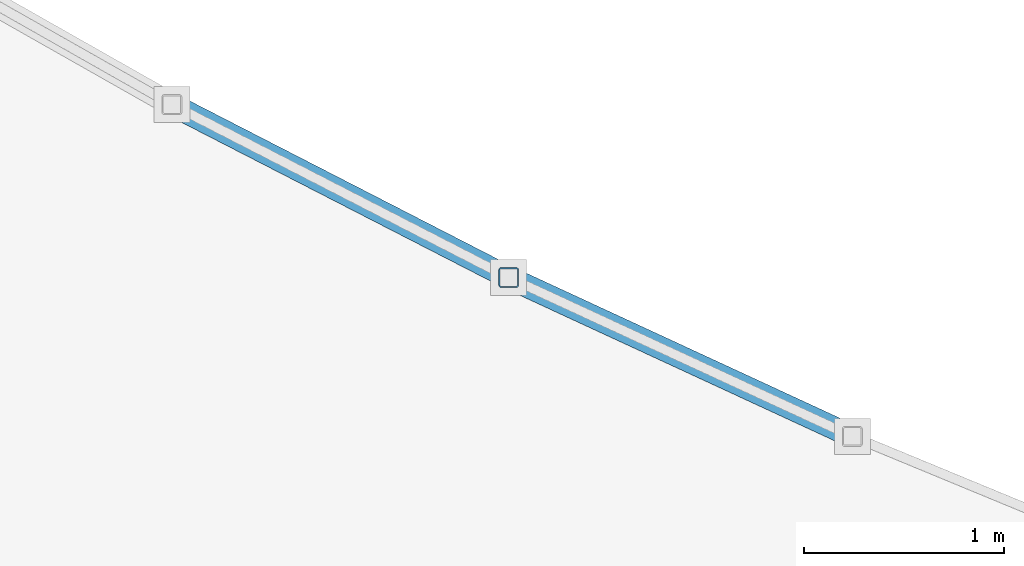
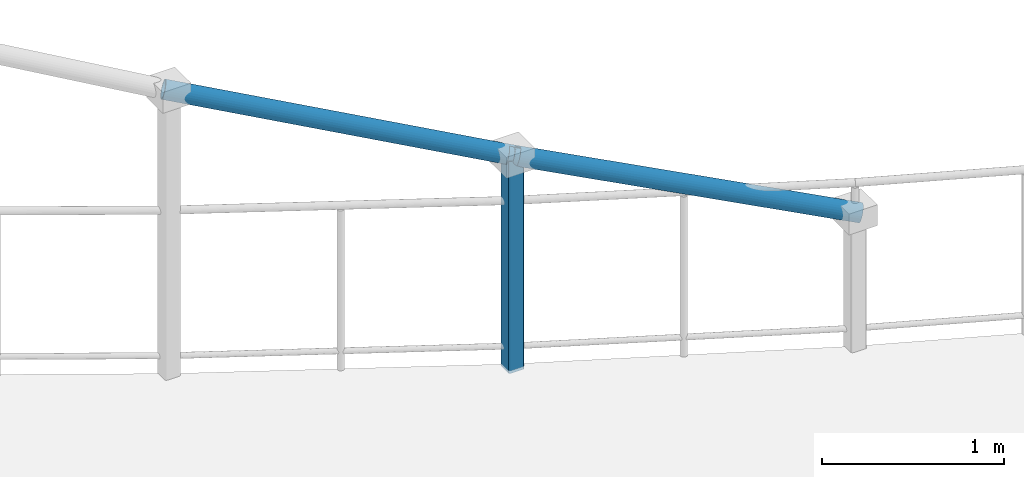
# One storey, part 6 of 58: 3 members.
"""IFC4 building model written with IfcOpenShell, lengths in metres."""

import ifcopenshell
import ifcopenshell.guid

model = None  # the IFC model being written
_history = None  # IfcOwnerHistory: only IFC2X3 demands one
_inside = {}  # id of a spatial element -> (the spatial element, [elements in it])
_under = {}  # id of a project, library or spatial element -> (it, [spatial elements below it])
_declared = {}  # id of a project -> (the project, [libraries it declares])
_typed = {}  # id of a type object -> (the type object, [elements of that type])
_made_of = {}  # id of a material, layer set ... -> (it, [elements and type objects made of it])


def new_model(schema):
    """Start an empty IFC model of exactly this schema.

    Asked for "IFC4X3", IfcOpenShell would pick the latest addendum, in which some entities
    have other attributes; the version numbers below select the first issue.
    IFC2X3 requires an IfcOwnerHistory on every rooted entity: one is made here for all.
    """
    global model, _history
    if schema == "IFC4X3":
        model = ifcopenshell.file(schema_version=(4, 3, 0, 0))
    else:
        model = ifcopenshell.file(schema=schema)
    _inside.clear()
    _under.clear()
    _declared.clear()
    _typed.clear()
    _made_of.clear()
    _history = None
    if model.schema == "IFC2X3":
        org = make("IfcOrganization", Name="unknown")
        user = make(
            "IfcPersonAndOrganization",
            ThePerson=make("IfcPerson", FamilyName="unknown"),
            TheOrganization=org,
        )
        app = make(
            "IfcApplication",
            ApplicationDeveloper=org,
            Version="unknown",
            ApplicationFullName="unknown",
            ApplicationIdentifier="unknown",
        )
        _history = make(
            "IfcOwnerHistory",
            OwningUser=user,
            OwningApplication=app,
            ChangeAction="ADDED",
            CreationDate=0,
        )
    return model


def make(cls, **values):
    """One entity of the class cls with the attributes given. An attribute that is None is left unset."""
    return model.create_entity(
        cls, **{name: value for name, value in values.items() if value is not None}
    )


def rooted(cls, **values):
    """An entity with a GlobalId (a new one), such as an element, a storey or a relation."""
    return make(cls, GlobalId=ifcopenshell.guid.new(), OwnerHistory=_history, **values)


def si_unit(unit_type, name, prefix=None):
    """IfcSIUnit, for example si_unit("LENGTHUNIT", "METRE", prefix="MILLI")."""
    return make("IfcSIUnit", UnitType=unit_type, Prefix=prefix, Name=name)


def assignment(units):
    """IfcUnitAssignment: the units of a project."""
    return None if units is None else make("IfcUnitAssignment", Units=units)


def point(xyz):
    """IfcCartesianPoint."""
    return None if xyz is None else make("IfcCartesianPoint", Coordinates=xyz)


def direction(xyz):
    """IfcDirection."""
    return None if xyz is None else make("IfcDirection", DirectionRatios=xyz)


def frame(location, z_axis=None, x_axis=None):
    """IfcAxis2Placement3D, a coordinate frame: its origin and axes. An axis left out is left unset."""
    return make(
        "IfcAxis2Placement3D",
        Location=point(location),
        Axis=direction(z_axis),
        RefDirection=direction(x_axis),
    )


def frame_2d(location, x_axis=None):
    """IfcAxis2Placement2D, a coordinate frame in the plane: its origin and x axis."""
    return make(
        "IfcAxis2Placement2D", Location=point(location), RefDirection=direction(x_axis)
    )


def origin():
    """The frame at (0, 0, 0) with its axes left unset."""
    return frame((0.0, 0.0, 0.0))


def origin_2d():
    """The frame at (0, 0) in the plane with its x axis left unset."""
    return frame_2d((0.0, 0.0))


def place(relative_to, where):
    """IfcLocalPlacement: puts the frame where relative to a parent placement (None: the world)."""
    return make(
        "IfcLocalPlacement", PlacementRelTo=relative_to, RelativePlacement=where
    )


def context(
    kind, dimensions, precision=None, world=None, true_north=None, identifier=None
):
    """IfcGeometricRepresentationContext, for example the 3D "Model" context."""
    return make(
        "IfcGeometricRepresentationContext",
        ContextIdentifier=identifier,
        ContextType=kind,
        CoordinateSpaceDimension=dimensions,
        Precision=precision,
        WorldCoordinateSystem=world,
        TrueNorth=true_north,
    )


def subcontext(parent, identifier, kind, view, scale=None):
    """IfcGeometricRepresentationSubContext, for example "Body" below "Model"."""
    return make(
        "IfcGeometricRepresentationSubContext",
        ContextIdentifier=identifier,
        ContextType=kind,
        ParentContext=parent,
        TargetScale=scale,
        TargetView=view,
    )


def project(units=None, contexts=None):
    """IfcProject with its units and contexts."""
    return rooted(
        "IfcProject",
        Name="project",
        RepresentationContexts=contexts,
        UnitsInContext=assignment(units),
    )


def spatial(cls, under=None, at=None, **own):
    """A site, building, storey or space (cls), placed at a placement, below another one or the project."""
    s = rooted(cls, ObjectPlacement=at, **own)
    if under is not None:
        _under.setdefault(under.id(), (under, []))[1].append(s)
    return s


def profile(cls, at=None, kind="AREA", **sizes):
    """A parametric profile (cls). Its sizes go by their IFC names, for example OverallWidth=200.0."""
    return make(cls, ProfileType=kind, Position=at, **sizes)


def hollow_rectangle(**sizes):
    """IfcRectangleHollowProfileDef."""
    return profile("IfcRectangleHollowProfileDef", **sizes)


def hollow_circle(**sizes):
    """IfcCircleHollowProfileDef."""
    return profile("IfcCircleHollowProfileDef", **sizes)


def extrude(swept, where, along, depth):
    """IfcExtrudedAreaSolid: the profile swept, set in the frame where, extruded along a direction by depth."""
    return make(
        "IfcExtrudedAreaSolid",
        SweptArea=swept,
        Position=where,
        ExtrudedDirection=direction(along),
        Depth=depth,
    )


def shape(context_of_items, identifier, shape_type, items):
    """IfcShapeRepresentation: the items that make up one representation, for example the "Body"."""
    return make(
        "IfcShapeRepresentation",
        ContextOfItems=context_of_items,
        RepresentationIdentifier=identifier,
        RepresentationType=shape_type,
        Items=items,
    )


def material(Name=None, Category=None):
    """IfcMaterial."""
    return make("IfcMaterial", Name=Name, Category=Category)


def material_profile(
    of_material, cross_section, Name=None, Category=None, Priority=None
):
    """IfcMaterialProfile: a cross section and its material."""
    return make(
        "IfcMaterialProfile",
        Name=Name,
        Material=of_material,
        Profile=cross_section,
        Priority=Priority,
        Category=Category,
    )


def profile_set(profiles, Name=None, composite=None):
    """IfcMaterialProfileSet."""
    return make(
        "IfcMaterialProfileSet",
        Name=Name,
        MaterialProfiles=profiles,
        CompositeProfile=composite,
    )


def made_of(thing, what):
    """Note that an element or type object is made of a material, layer set ...; save() writes the relation."""
    if what is not None:
        _made_of.setdefault(what.id(), (what, []))[1].append(thing)
    return thing


def type_object(cls, material=None, **own):
    """A type object (cls), such as IfcWallType, which elements share."""
    return made_of(rooted(cls, **own), material)


def element(
    cls,
    number,
    at=None,
    inside=None,
    cuts=None,
    type_object=None,
    material=None,
    context=None,
    identifier="Body",
    shape_type=None,
    held_by="IfcProductDefinitionShape",
    body=None,
    shapes=None,
    **own,
):
    """One element of the class cls, such as IfcWall. Its Tag is "e" and its number.

    at: its placement. inside: the storey or other place that contains it. cuts: it is an
    opening in that element (IfcRelVoidsElement). A single representation is given by context,
    identifier, shape_type and body (its items); several are given by shapes. held_by: the class
    of the entity that holds the representations. save() writes the other relations.
    """
    e = rooted(cls, Tag="e%d" % number, ObjectPlacement=at, **own)
    if body is not None:
        shapes = [shape(context, identifier, shape_type, body)]
    if shapes is not None:
        e.Representation = make(held_by, Representations=shapes)
    if inside is not None:
        _inside.setdefault(inside.id(), (inside, []))[1].append(e)
    if cuts is not None:
        rooted(
            "IfcRelVoidsElement", RelatingBuildingElement=cuts, RelatedOpeningElement=e
        )
    if type_object is not None:
        _typed.setdefault(type_object.id(), (type_object, []))[1].append(e)
    return made_of(e, material)


def aggregate(whole, parts):
    """IfcRelAggregates: a whole, such as a stair, and the parts it consists of."""
    return rooted("IfcRelAggregates", RelatingObject=whole, RelatedObjects=parts)


def save(model, path):
    """Write the relations noted so far, then the file.

    IfcRelAggregates (storeys below a building ...), IfcRelContainedInSpatialStructure (elements
    in a storey), IfcRelDefinesByType, IfcRelAssociatesMaterial and IfcRelDeclares: one each for
    every whole, place, type object, material and project.
    """
    for whole, parts in _under.values():
        aggregate(whole, parts)
    for where, things in _inside.values():
        rooted(
            "IfcRelContainedInSpatialStructure",
            RelatedElements=things,
            RelatingStructure=where,
        )
    for kind, things in _typed.values():
        rooted("IfcRelDefinesByType", RelatedObjects=things, RelatingType=kind)
    for what, things in _made_of.values():
        rooted("IfcRelAssociatesMaterial", RelatedObjects=things, RelatingMaterial=what)
    for by, libraries in _declared.values():
        rooted("IfcRelDeclares", RelatingContext=by, RelatedDefinitions=libraries)
    model.write(path)


model = new_model("IFC4")

# Units and contexts
model_context = context("Model", 3, precision=1e-05, world=origin(), true_north=direction((0.0, 1.0)))
body_context = subcontext(model_context, "Body", "Model", "MODEL_VIEW")
ifc_project = project(units=[si_unit("LENGTHUNIT", "METRE"), si_unit("AREAUNIT", "SQUARE_METRE"), si_unit("VOLUMEUNIT", "CUBIC_METRE"), si_unit("PLANEANGLEUNIT", "RADIAN"), si_unit("MASSUNIT", "GRAM", prefix="KILO"), si_unit("POWERUNIT", "WATT"), si_unit("THERMODYNAMICTEMPERATUREUNIT", "KELVIN")], contexts=[model_context])

# Site, building, storey
site_placement = place(None, origin())
site = spatial("IfcSite", under=ifc_project, at=site_placement, CompositionType="ELEMENT")
building_placement = place(site_placement, origin())
building = spatial("IfcBuilding", under=site, at=building_placement, Name="Ruvembo Vaulted Housing Court", CompositionType="ELEMENT")
storey_placement = place(building_placement, frame((0.0, 0.0, 20.5)))
storey = spatial("IfcBuildingStorey", under=building, at=storey_placement, Name="L06", CompositionType="ELEMENT", Elevation=20.5)

# Members
ifc_material = material(Name="Steel S355J2", Category="steel")
ifc_material_profile_1 = material_profile(ifc_material, hollow_rectangle(XDim=0.10009765625, YDim=0.10009765625, WallThickness=0.00634765625, InnerFilletRadius=0.00634765625, OuterFilletRadius=0.0126953125, at=origin_2d()), Name="SHS 100x100x6.3")
ifc_profile_set_1 = profile_set([ifc_material_profile_1], Name="Steel S355J2")
member_type_1 = type_object("IfcMemberType", Name="MEM-FRM-SHS100", PredefinedType="STRUT", material=ifc_profile_set_1)
member_placement = place(storey_placement, frame((48.922607421875, 20.835205078125, -0.02001953125), z_axis=(0.0, 0.0, 1.0), x_axis=(1.0, 0.0, 0.0)))
element("IfcMember", 1, at=member_placement, inside=storey, type_object=member_type_1, Name="Scoop SC2 L06 Upswept Post 3A", PredefinedType="STRUT", context=body_context, shape_type="SweptSolid", body=[
    extrude(hollow_rectangle(XDim=0.10009765625, YDim=0.10009765625, WallThickness=0.00634765625, InnerFilletRadius=0.00634765625, OuterFilletRadius=0.0126953125, at=origin_2d()), origin(), (0.0, 0.0, 1.0), 1.419921875),
])
ifc_material_profile_2 = material_profile(ifc_material, hollow_circle(Radius=0.05712890625, WallThickness=0.00634765625, at=origin_2d()), Name="CHS 114.3x6.3")
ifc_profile_set_2 = profile_set([ifc_material_profile_2], Name="Steel S355J2")
member_type_2 = type_object("IfcMemberType", Name="MEM-STR-CHS114", PredefinedType="STRUT", material=ifc_profile_set_2)
for number, where, z_axis, x_axis, name in (
    (2, (47.214599609375, 21.71240234375, 1.908203125), (0.859939989096, -0.441643114389, -0.255840916717), (0.456847503316, 0.889545029054, 0.0), "Scoop SC2 L06 Upswept Crest Tube 2"),
    (3, (48.89453125, 20.84814453125, 1.408203125), (0.877466107699, -0.405710135818, -0.255836892443), (0.41967700251, 0.907673517056, 0.0), "Scoop SC2 L06 Upswept Crest Tube 3"),
):
    element("IfcMember", number, at=place(storey_placement, frame(where, z_axis=z_axis, x_axis=x_axis)), inside=storey, type_object=member_type_2, Name=name, PredefinedType="STRUT", context=body_context, shape_type="SweptSolid", body=[
        extrude(hollow_circle(Radius=0.05712890625, WallThickness=0.00634765625, at=origin_2d()), origin(), (0.0, 0.0, 1.0), 2.018310546875),
    ])

save(model, "model.ifc")
